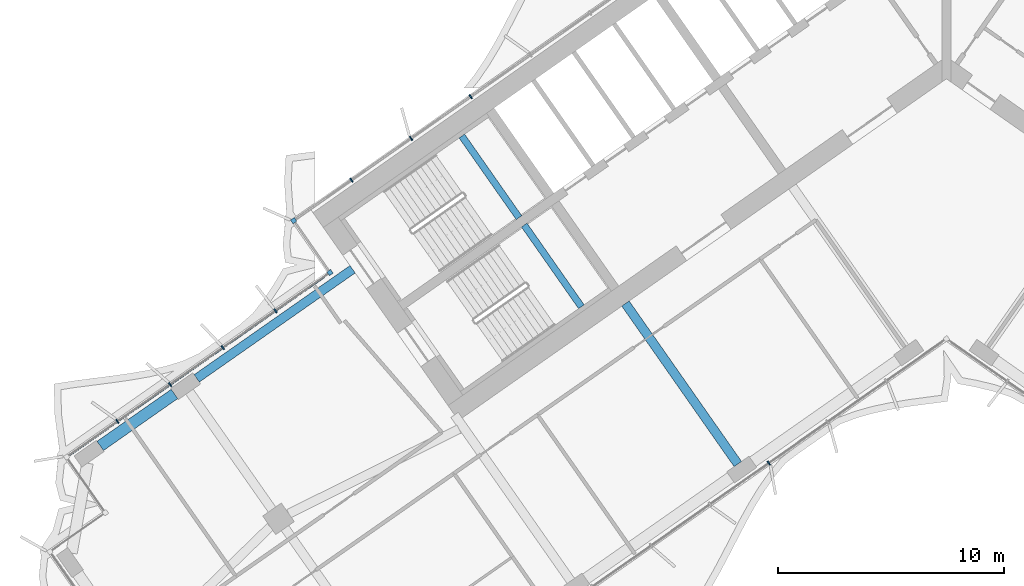
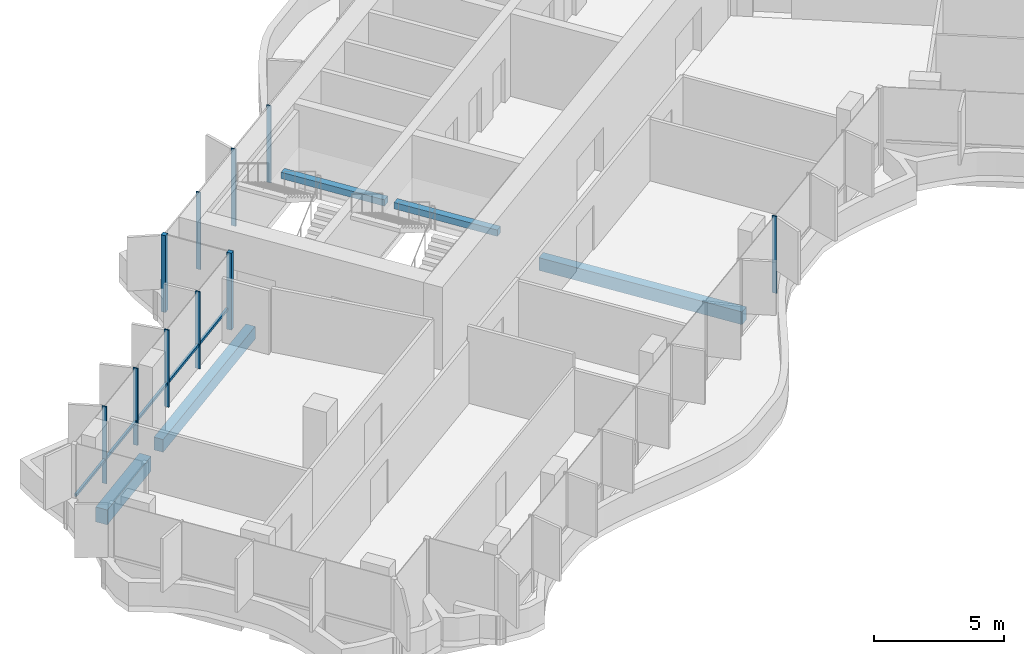
# One storey, part 4 of 21: 11 members, 5 beams, 2 elements without a shape of their own.
"""IFC4 building model written with IfcOpenShell, lengths in metres."""

from ifc_helpers import new_model, si_unit, direction, frame, origin, origin_2d, place, context, subcontext, project, spatial, rectangle, extrude, material, material_profile, profile_set, type_object, element, aggregate, save


model = new_model("IFC4")

# Units and contexts
model_context = context("Model", 3, precision=1e-05, world=origin(), true_north=direction((0.0, 1.0)))
body_context = subcontext(model_context, "Body", "Model", "MODEL_VIEW")
ifc_project = project(units=[si_unit("LENGTHUNIT", "METRE"), si_unit("AREAUNIT", "SQUARE_METRE"), si_unit("VOLUMEUNIT", "CUBIC_METRE"), si_unit("PLANEANGLEUNIT", "RADIAN"), si_unit("MASSUNIT", "GRAM", prefix="KILO")], contexts=[model_context])

# Site, building, storey
site_placement = place(None, origin())
site = spatial("IfcSite", under=ifc_project, at=site_placement, CompositionType="ELEMENT")
building_placement = place(site_placement, origin())
building = spatial("IfcBuilding", under=site, at=building_placement, Name="Tel Ilan Convention Tower", CompositionType="ELEMENT")
storey_placement = place(building_placement, frame((0.0, 0.0, 151.5)))
storey = spatial("IfcBuildingStorey", under=building, at=storey_placement, Name="L34", CompositionType="ELEMENT", Elevation=151.5)

# Beams
ifc_material_1 = material(Name="Concrete C40/50", Category="concrete")
ifc_material_profile_1 = material_profile(ifc_material_1, rectangle(XDim=0.39990234375, YDim=0.60009765625, at=origin_2d()), Name="RC 400x600")
ifc_profile_set_1 = profile_set([ifc_material_profile_1], Name="Concrete C40/50")
beam_type_1 = type_object("IfcBeamType", Name="Beam RC 400x600 Concrete C40/50", PredefinedType="BEAM", material=ifc_profile_set_1)
beam_1_placement = place(storey_placement, frame((-33.09912109375, -14.44775390625, -0.580078125), z_axis=(0.819147254605, 0.573583276668, 0.0), x_axis=(-0.573583276668, 0.819147254605, 0.0)))
element("IfcBeam", 1, at=beam_1_placement, inside=storey, type_object=beam_type_1, Name="L34 beam W-W-B4-core", PredefinedType="BEAM", context=body_context, shape_type="SweptSolid", body=[
    extrude(rectangle(XDim=0.39990234375, YDim=0.60009765625, at=origin_2d()), origin(), (0.0, 0.0, 1.0), 8.400146484375),
])
beam_2_placement = place(storey_placement, frame((-9.209716796875, -18.229248046875, -0.580078125), z_axis=(-0.573574099654, 0.819153680457, 0.0), x_axis=(-0.819153680457, -0.573574099654, 0.0)))
element("IfcBeam", 2, at=beam_2_placement, inside=storey, type_object=beam_type_1, Name="L34 beam W-W-F2-core", PredefinedType="BEAM", context=body_context, shape_type="SweptSolid", body=[
    extrude(rectangle(XDim=0.39990234375, YDim=0.60009765625, at=origin_2d()), origin(), (0.0, 0.0, 1.0), 8.64990234375),
])
ifc_material_2 = material(Name="Concrete C40/50", Category="concrete")
ifc_material_profile_2 = material_profile(ifc_material_2, rectangle(XDim=0.5, YDim=0.699951171875, at=origin_2d()), Name="RC 500x700")
ifc_profile_set_2 = profile_set([ifc_material_profile_2], Name="Concrete C40/50")
beam_type_2 = type_object("IfcBeamType", Name="Beam RC 500x700 Concrete C40/50", PredefinedType="BEAM", material=ifc_profile_set_2)
beam_3_placement = place(storey_placement, frame((-37.358642578125, -17.430419921875, -0.6298828125), z_axis=(0.819137286189, 0.573597512525, 0.0), x_axis=(-0.573597512525, 0.819137286189, 0.0)))
element("IfcBeam", 3, at=beam_3_placement, inside=storey, type_object=beam_type_2, Name="L34 beam W-W-BC-W-B4", PredefinedType="BEAM", context=body_context, shape_type="SweptSolid", body=[
    extrude(rectangle(XDim=0.5, YDim=0.699951171875, at=origin_2d()), origin(), (0.0, 0.0, 1.0), 4.0),
])

# Curtain wall, members
ifc_material_3 = material(Name="Aluminium, bronze anodised", Category="aluminium")
curtain_wall_type_1 = type_object("IfcCurtainWallType", Name="CW2 STICK CURTAIN WALL, SPANDREL PANELS", PredefinedType="NOTDEFINED", material=ifc_material_3)
curtain_wall_1_placement = place(storey_placement, origin())
curtain_wall_1 = element("IfcCurtainWall", 4, at=curtain_wall_1_placement, inside=storey, type_object=curtain_wall_type_1, Name="Curtain wall CW2-27.01", PredefinedType="NOTDEFINED")
ifc_material_4 = material(Name="Aluminium, bronze anodised", Category="aluminium")
ifc_material_profile_3 = material_profile(ifc_material_4, rectangle(XDim=0.199951171875, YDim=0.199951171875, at=origin_2d()), Name="CW CORNER MULLION 200x200")
ifc_profile_set_3 = profile_set([ifc_material_profile_3], Name="Aluminium, bronze anodised")
member_type_1 = type_object("IfcMemberType", Name="CW CORNER MULLION 200x200", PredefinedType="MULLION", material=ifc_profile_set_3)
member_1_placement = place(storey_placement, frame((-28.819580078125, -7.483642578125, 0.0), z_axis=(0.0, 0.0, 1.0), x_axis=(-0.819152044289, -0.573576436351, 0.0)))
member_1 = element("IfcMember", 5, at=member_1_placement, type_object=member_type_1, Name="Corner mullion", PredefinedType="MULLION", context=body_context, shape_type="SweptSolid", body=[
    extrude(rectangle(XDim=0.199951171875, YDim=0.199951171875, at=origin_2d()), origin(), (0.0, 0.0, 1.0), 3.6201171875),
])
member_2_placement = place(storey_placement, frame((-27.213623046875, -9.77734375, 0.0), z_axis=(0.0, 0.0, 1.0), x_axis=(0.573576436351, -0.819152044289, 0.0)))
member_2 = element("IfcMember", 6, at=member_2_placement, type_object=member_type_1, Name="Corner mullion", PredefinedType="MULLION", context=body_context, shape_type="SweptSolid", body=[
    extrude(rectangle(XDim=0.199951171875, YDim=0.199951171875, at=origin_2d()), origin(), (0.0, 0.0, 1.0), 3.6201171875),
])
ifc_material_5 = material(Name="Aluminium, bronze anodised", Category="aluminium")
ifc_material_profile_4 = material_profile(ifc_material_5, rectangle(XDim=0.06005859375, YDim=0.199951171875, at=origin_2d()), Name="CW MULLION 60x200")
ifc_profile_set_4 = profile_set([ifc_material_profile_4], Name="Aluminium, bronze anodised")
member_type_2 = type_object("IfcMemberType", Name="CW MULLION 60x200", PredefinedType="MULLION", material=ifc_profile_set_4)
member_3_placement = place(storey_placement, frame((-21.003662109375, -2.0107421875, 0.0), z_axis=(0.0, 0.0, 1.0), x_axis=(-0.819152044289, -0.573576436351, 0.0)))
member_3 = element("IfcMember", 7, at=member_3_placement, type_object=member_type_2, Name="Mullion", PredefinedType="MULLION", context=body_context, shape_type="SweptSolid", body=[
    extrude(rectangle(XDim=0.06005859375, YDim=0.199951171875, at=origin_2d()), origin(), (0.0, 0.0, 1.0), 3.6201171875),
])
member_4_placement = place(storey_placement, frame((-23.63623046875, -3.854248046875, 0.0), z_axis=(0.0, 0.0, 1.0), x_axis=(-0.819152044289, -0.573576436351, 0.0)))
member_4 = element("IfcMember", 8, at=member_4_placement, type_object=member_type_2, Name="Mullion", PredefinedType="MULLION", context=body_context, shape_type="SweptSolid", body=[
    extrude(rectangle(XDim=0.06005859375, YDim=0.199951171875, at=origin_2d()), origin(), (0.0, 0.0, 1.0), 3.6201171875),
])
member_5_placement = place(storey_placement, frame((-26.268798828125, -5.697509765625, 0.0), z_axis=(0.0, 0.0, 1.0), x_axis=(-0.819152044289, -0.573576436351, 0.0)))
member_5 = element("IfcMember", 9, at=member_5_placement, type_object=member_type_2, Name="Mullion", PredefinedType="MULLION", context=body_context, shape_type="SweptSolid", body=[
    extrude(rectangle(XDim=0.06005859375, YDim=0.199951171875, at=origin_2d()), origin(), (0.0, 0.0, 1.0), 3.6201171875),
])
aggregate(curtain_wall_1, [member_3, member_4, member_5, member_1, member_2])

ifc_material_6 = material(Name="Aluminium, bronze anodised", Category="aluminium")
curtain_wall_type_2 = type_object("IfcCurtainWallType", Name="CW4 STICK CURTAIN WALL, OFFICE TINTED GLASS", PredefinedType="NOTDEFINED", material=ifc_material_6)
curtain_wall_2_placement = place(storey_placement, origin())
curtain_wall_2 = element("IfcCurtainWall", 10, at=curtain_wall_2_placement, inside=storey, type_object=curtain_wall_type_2, Name="Curtain wall CW4-27.02", PredefinedType="NOTDEFINED")
member_6_placement = place(storey_placement, frame((-29.621826171875, -11.463623046875, 0.0), z_axis=(0.0, 0.0, 1.0), x_axis=(-0.819152044289, -0.573576436351, 0.0)))
member_6 = element("IfcMember", 11, at=member_6_placement, type_object=member_type_2, Name="Mullion", PredefinedType="MULLION", context=body_context, shape_type="SweptSolid", body=[
    extrude(rectangle(XDim=0.06005859375, YDim=0.199951171875, at=origin_2d()), origin(), (0.0, 0.0, 1.0), 3.6201171875),
])
member_7_placement = place(storey_placement, frame((-31.9482421875, -13.092529296875, 0.0), z_axis=(0.0, 0.0, 1.0), x_axis=(-0.819152044289, -0.573576436351, 0.0)))
member_7 = element("IfcMember", 12, at=member_7_placement, type_object=member_type_2, Name="Mullion", PredefinedType="MULLION", context=body_context, shape_type="SweptSolid", body=[
    extrude(rectangle(XDim=0.06005859375, YDim=0.199951171875, at=origin_2d()), origin(), (0.0, 0.0, 1.0), 3.6201171875),
])
member_8_placement = place(storey_placement, frame((-34.274658203125, -14.721435546875, 0.0), z_axis=(0.0, 0.0, 1.0), x_axis=(-0.819152044289, -0.573576436351, 0.0)))
member_8 = element("IfcMember", 13, at=member_8_placement, type_object=member_type_2, Name="Mullion", PredefinedType="MULLION", context=body_context, shape_type="SweptSolid", body=[
    extrude(rectangle(XDim=0.06005859375, YDim=0.199951171875, at=origin_2d()), origin(), (0.0, 0.0, 1.0), 3.6201171875),
])
member_9_placement = place(storey_placement, frame((-36.60107421875, -16.350341796875, 0.0), z_axis=(0.0, 0.0, 1.0), x_axis=(-0.819152044289, -0.573576436351, 0.0)))
member_9 = element("IfcMember", 14, at=member_9_placement, type_object=member_type_2, Name="Mullion", PredefinedType="MULLION", context=body_context, shape_type="SweptSolid", body=[
    extrude(rectangle(XDim=0.06005859375, YDim=0.199951171875, at=origin_2d()), origin(), (0.0, 0.0, 1.0), 3.6201171875),
])
member_10_placement = place(storey_placement, frame((-7.842529296875, -18.1875, 0.0), z_axis=(0.0, 0.0, 1.0), x_axis=(0.819152044289, 0.573576436351, 0.0)))
member_10 = element("IfcMember", 15, at=member_10_placement, type_object=member_type_2, Name="Mullion", PredefinedType="MULLION", context=body_context, shape_type="SweptSolid", body=[
    extrude(rectangle(XDim=0.06005859375, YDim=0.199951171875, at=origin_2d()), origin(), (0.0, 0.0, 1.0), 3.6201171875),
])
ifc_material_7 = material(Name="Aluminium, bronze anodised", Category="aluminium")
ifc_material_profile_5 = material_profile(ifc_material_7, rectangle(XDim=0.10009765625, YDim=0.1201171875, at=origin_2d()), Name="CW TRANSOM 100x120")
ifc_profile_set_5 = profile_set([ifc_material_profile_5], Name="Aluminium, bronze anodised")
member_type_3 = type_object("IfcMemberType", Name="CW TRANSOM 100x120", PredefinedType="USERDEFINED", material=ifc_profile_set_5)
member_11_placement = place(storey_placement, frame((-27.459228515625, -9.94921875, 1.10009765625), z_axis=(-0.819149630799, -0.573579883156, 0.0), x_axis=(0.573579883156, -0.819149630799, 0.0)))
member_11 = element("IfcMember", 16, at=member_11_placement, type_object=member_type_3, Name="Transom", ObjectType="TRANSOM", PredefinedType="USERDEFINED", context=body_context, shape_type="SweptSolid", body=[
    extrude(rectangle(XDim=0.10009765625, YDim=0.1201171875, at=origin_2d()), origin(), (0.0, 0.0, 1.0), 13.80029296875),
])
aggregate(curtain_wall_2, [member_6, member_7, member_8, member_9, member_11, member_10])

# Beams
ifc_material_8 = material(Name="Concrete C40/50", Category="concrete")
ifc_material_profile_6 = material_profile(ifc_material_8, rectangle(XDim=0.300048828125, YDim=0.300048828125, at=origin_2d()), Name="RC 300x300")
ifc_profile_set_6 = profile_set([ifc_material_profile_6], Name="Concrete C40/50")
beam_type_3 = type_object("IfcBeamType", Name="Landing Beam RC 300x300 Concrete C40/50", PredefinedType="BEAM", material=ifc_profile_set_6)
beam_4_placement = place(storey_placement, frame((-18.870361328125, -7.353515625, 1.60009765625), z_axis=(-0.57354426506, 0.819174569928, 0.0), x_axis=(-0.819174569928, -0.57354426506, 0.0)))
element("IfcBeam", 17, at=beam_4_placement, inside=storey, type_object=beam_type_3, Name="S1 landing beam L34.1", PredefinedType="BEAM", context=body_context, shape_type="SweptSolid", body=[
    extrude(rectangle(XDim=0.300048828125, YDim=0.300048828125, at=origin_2d()), origin(), (0.0, 0.0, 1.0), 4.400146484375),
])
beam_5_placement = place(storey_placement, frame((-16.1171875, -11.285400390625, 1.60009765625), z_axis=(-0.573570334442, 0.819156316858, 0.0), x_axis=(-0.819156316858, -0.573570334442, 0.0)))
element("IfcBeam", 18, at=beam_5_placement, inside=storey, type_object=beam_type_3, Name="S2 landing beam L34.1", PredefinedType="BEAM", context=body_context, shape_type="SweptSolid", body=[
    extrude(rectangle(XDim=0.300048828125, YDim=0.300048828125, at=origin_2d()), origin(), (0.0, 0.0, 1.0), 4.39990234375),
])

save(model, "model.ifc")
